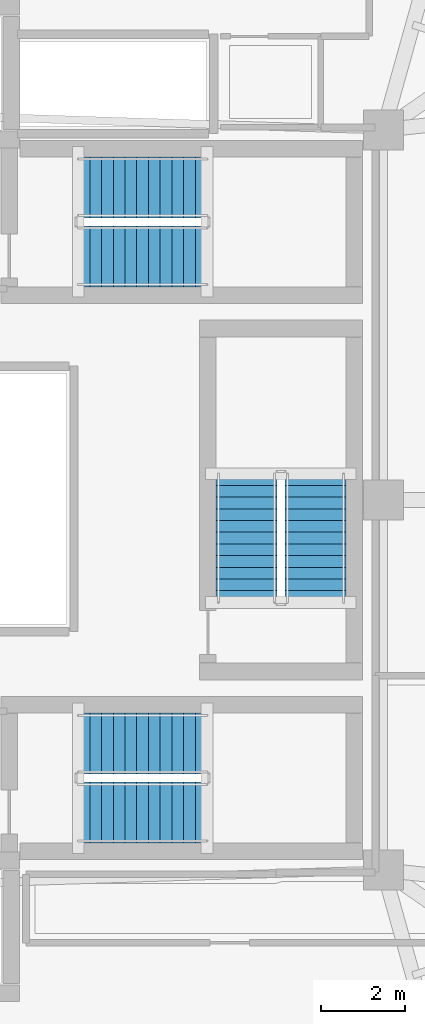
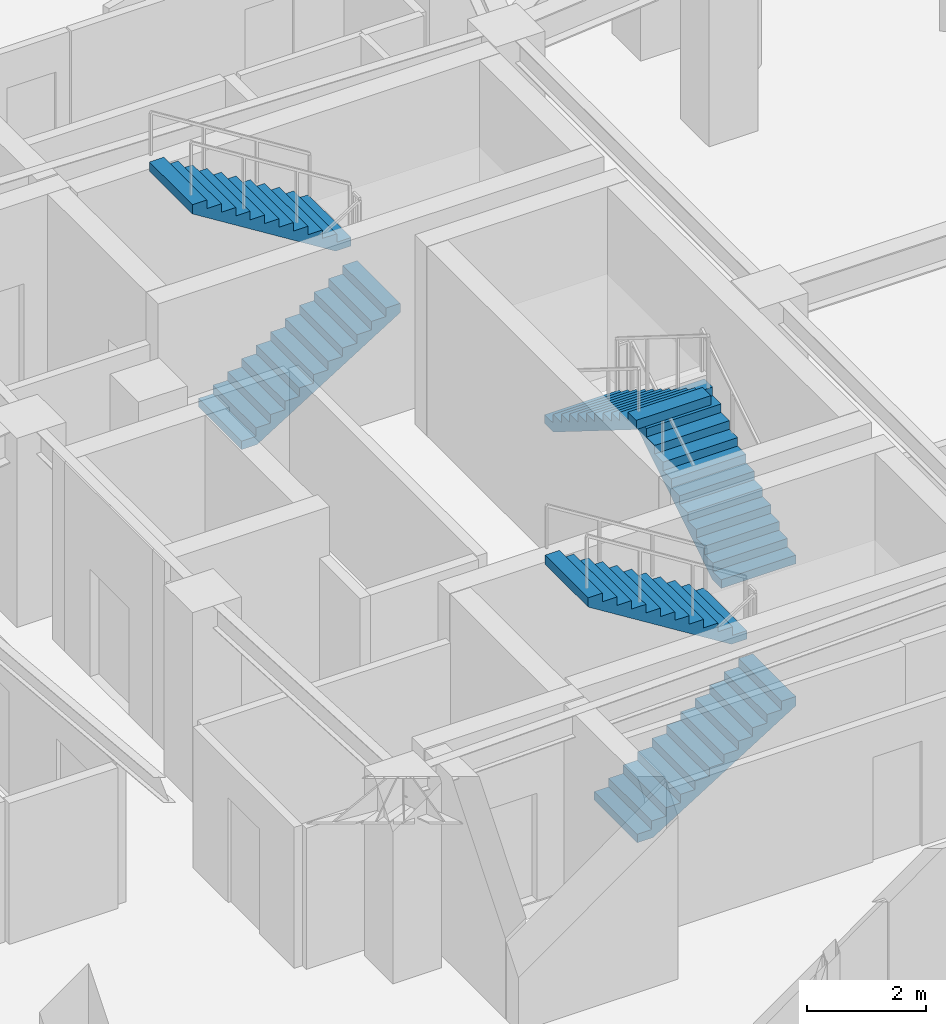
# One storey, part 10 of 13: 6 stair flights, 3 elements without a shape of their own.
"""IFC4 building model written with IfcOpenShell, lengths in metres."""

from ifc_helpers import new_model, si_unit, direction, frame, origin, place, context, subcontext, project, spatial, polyline, outline, extrude, material, type_object, element, aggregate, save


model = new_model("IFC4")

# Units and contexts
model_context = context("Model", 3, precision=1e-05, world=origin(), true_north=direction((0.0, 1.0)))
body_context = subcontext(model_context, "Body", "Model", "MODEL_VIEW")
ifc_project = project(units=[si_unit("LENGTHUNIT", "METRE"), si_unit("AREAUNIT", "SQUARE_METRE"), si_unit("VOLUMEUNIT", "CUBIC_METRE"), si_unit("PLANEANGLEUNIT", "RADIAN"), si_unit("MASSUNIT", "GRAM", prefix="KILO")], contexts=[model_context])

# Site, building, storey
site_placement = place(None, origin())
site = spatial("IfcSite", under=ifc_project, at=site_placement, CompositionType="ELEMENT")
building_placement = place(site_placement, origin())
building = spatial("IfcBuilding", under=site, at=building_placement, Name="Korentha Bioscience Tower", CompositionType="ELEMENT")
storey_placement = place(building_placement, frame((0.0, 0.0, 273.0)))
storey = spatial("IfcBuildingStorey", under=building, at=storey_placement, Name="L63", CompositionType="ELEMENT", Elevation=273.0)

# Stair, stair flights
ifc_material = material(Name="Precast Concrete C50", Category="concrete")
stair_type = type_object("IfcStairType", Name="Core Exit Dog-Leg Stair 1450", PredefinedType="HALF_TURN_STAIR", material=ifc_material)
stair_1_placement = place(storey_placement, origin())
stair_1 = element("IfcStair", 1, at=stair_1_placement, inside=storey, type_object=stair_type, Name="L63 Tower North Pressurized Exit Stair ST-1", PredefinedType="HALF_TURN_STAIR")
stair_flight_type = type_object("IfcStairFlightType", Name="Core Exit Dog-Leg Stair 1450 Flight", PredefinedType="STRAIGHT", material=ifc_material)
stair_flight_1_placement = place(storey_placement, frame((30.25, 32.824951171875, 0.0), z_axis=(0.0, 0.0, 1.0), x_axis=(1.0, 0.0, 0.0)))
stair_flight_1 = element("IfcStairFlight", 2, at=stair_flight_1_placement, type_object=stair_flight_type, Name="ST-1 flight 1", NumberOfRisers=12, NumberOfTreads=11, PredefinedType="STRAIGHT", RiserHeight=0.175, TreadLength=0.28, context=body_context, shape_type="SweptSolid", body=[
    extrude(outline(polyline([(0.0, 0.0), (0.0, 0.175048828125), (0.280029296875, 0.175048828125), (0.280029296875, 0.35009765625), (0.56005859375, 0.35009765625), (0.56005859375, 0.52490234375), (0.840087890625, 0.52490234375), (0.840087890625, 0.699951171875), (1.1201171875, 0.699951171875), (1.1201171875, 0.875), (1.39990234375, 0.875), (1.39990234375, 1.050048828125), (1.679931640625, 1.050048828125), (1.679931640625, 1.22509765625), (1.9599609375, 1.22509765625), (1.9599609375, 1.39990234375), (2.239990234375, 1.39990234375), (2.239990234375, 1.574951171875), (2.52001953125, 1.574951171875), (2.52001953125, 1.75), (2.800048828125, 1.75), (2.800048828125, 1.925048828125), (3.080078125, 1.925048828125), (3.080078125, 2.10009765625), (3.080078125, 1.736328125), (0.3017578125, 0.0), (0.0, 0.0)])), frame((0.0, 0.72509765625, 0.0), z_axis=(0.0, -1.0, 0.0), x_axis=(1.0, 0.0, 0.0)), (0.0, 0.0, 1.0), 1.449951171875),
])
stair_flight_2_placement = place(storey_placement, frame((33.330078125, 34.47509765625, 2.10009765625), z_axis=(0.0, 0.0, 1.0), x_axis=(-1.0, 0.0, 0.0)))
stair_flight_2 = element("IfcStairFlight", 3, at=stair_flight_2_placement, type_object=stair_flight_type, Name="ST-1 flight 2", NumberOfRisers=12, NumberOfTreads=11, PredefinedType="STRAIGHT", RiserHeight=0.175, TreadLength=0.28, context=body_context, shape_type="SweptSolid", body=[
    extrude(outline(polyline([(0.0, 0.0), (0.0, 0.175048828125), (0.280029296875, 0.175048828125), (0.280029296875, 0.35009765625), (0.56005859375, 0.35009765625), (0.56005859375, 0.52490234375), (0.840087890625, 0.52490234375), (0.840087890625, 0.699951171875), (1.1201171875, 0.699951171875), (1.1201171875, 0.875), (1.39990234375, 0.875), (1.39990234375, 1.050048828125), (1.679931640625, 1.050048828125), (1.679931640625, 1.22509765625), (1.9599609375, 1.22509765625), (1.9599609375, 1.39990234375), (2.239990234375, 1.39990234375), (2.239990234375, 1.574951171875), (2.52001953125, 1.574951171875), (2.52001953125, 1.75), (2.800048828125, 1.75), (2.800048828125, 1.925048828125), (3.080078125, 1.925048828125), (3.080078125, 2.10009765625), (3.080078125, 1.736328125), (0.3017578125, 0.0), (0.0, 0.0)])), frame((0.0, 0.72509765625, 0.0), z_axis=(0.0, -1.0, 0.0), x_axis=(1.0, 0.0, 0.0)), (0.0, 0.0, 1.0), 1.449951171875),
])
aggregate(stair_1, [stair_flight_1, stair_flight_2])

stair_2_placement = place(storey_placement, origin())
stair_2 = element("IfcStair", 4, at=stair_2_placement, inside=storey, type_object=stair_type, Name="L63 Tower South Pressurized Exit Stair ST-2", PredefinedType="HALF_TURN_STAIR")
stair_flight_3_placement = place(storey_placement, frame((30.25, 19.52490234375, 0.0), z_axis=(0.0, 0.0, 1.0), x_axis=(1.0, 0.0, 0.0)))
stair_flight_3 = element("IfcStairFlight", 5, at=stair_flight_3_placement, type_object=stair_flight_type, Name="ST-2 flight 1", NumberOfRisers=12, NumberOfTreads=11, PredefinedType="STRAIGHT", RiserHeight=0.175, TreadLength=0.28, context=body_context, shape_type="SweptSolid", body=[
    extrude(outline(polyline([(0.0, 0.0), (0.0, 0.175048828125), (0.280029296875, 0.175048828125), (0.280029296875, 0.35009765625), (0.56005859375, 0.35009765625), (0.56005859375, 0.52490234375), (0.840087890625, 0.52490234375), (0.840087890625, 0.699951171875), (1.1201171875, 0.699951171875), (1.1201171875, 0.875), (1.39990234375, 0.875), (1.39990234375, 1.050048828125), (1.679931640625, 1.050048828125), (1.679931640625, 1.22509765625), (1.9599609375, 1.22509765625), (1.9599609375, 1.39990234375), (2.239990234375, 1.39990234375), (2.239990234375, 1.574951171875), (2.52001953125, 1.574951171875), (2.52001953125, 1.75), (2.800048828125, 1.75), (2.800048828125, 1.925048828125), (3.080078125, 1.925048828125), (3.080078125, 2.10009765625), (3.080078125, 1.736328125), (0.3017578125, 0.0), (0.0, 0.0)])), frame((0.0, 0.72509765625, 0.0), z_axis=(0.0, -1.0, 0.0), x_axis=(1.0, 0.0, 0.0)), (0.0, 0.0, 1.0), 1.449951171875),
])
stair_flight_4_placement = place(storey_placement, frame((33.330078125, 21.175048828125, 2.10009765625), z_axis=(0.0, 0.0, 1.0), x_axis=(-1.0, 0.0, 0.0)))
stair_flight_4 = element("IfcStairFlight", 6, at=stair_flight_4_placement, type_object=stair_flight_type, Name="ST-2 flight 2", NumberOfRisers=12, NumberOfTreads=11, PredefinedType="STRAIGHT", RiserHeight=0.175, TreadLength=0.28, context=body_context, shape_type="SweptSolid", body=[
    extrude(outline(polyline([(0.0, 0.0), (0.0, 0.175048828125), (0.280029296875, 0.175048828125), (0.280029296875, 0.35009765625), (0.56005859375, 0.35009765625), (0.56005859375, 0.52490234375), (0.840087890625, 0.52490234375), (0.840087890625, 0.699951171875), (1.1201171875, 0.699951171875), (1.1201171875, 0.875), (1.39990234375, 0.875), (1.39990234375, 1.050048828125), (1.679931640625, 1.050048828125), (1.679931640625, 1.22509765625), (1.9599609375, 1.22509765625), (1.9599609375, 1.39990234375), (2.239990234375, 1.39990234375), (2.239990234375, 1.574951171875), (2.52001953125, 1.574951171875), (2.52001953125, 1.75), (2.800048828125, 1.75), (2.800048828125, 1.925048828125), (3.080078125, 1.925048828125), (3.080078125, 2.10009765625), (3.080078125, 1.736328125), (0.3017578125, 0.0), (0.0, 0.0)])), frame((0.0, 0.72509765625, 0.0), z_axis=(0.0, -1.0, 0.0), x_axis=(1.0, 0.0, 0.0)), (0.0, 0.0, 1.0), 1.449951171875),
])
aggregate(stair_2, [stair_flight_3, stair_flight_4])

stair_3_placement = place(storey_placement, origin())
stair_3 = element("IfcStair", 7, at=stair_3_placement, inside=storey, type_object=stair_type, Name="L63 Tower Central Pressurized Exit Stair ST-3", PredefinedType="HALF_TURN_STAIR")
stair_flight_5_placement = place(storey_placement, frame((35.925048828125, 24.550048828125, 0.0), z_axis=(0.0, 0.0, 1.0), x_axis=(0.0, 1.0, 0.0)))
stair_flight_5 = element("IfcStairFlight", 8, at=stair_flight_5_placement, type_object=stair_flight_type, Name="ST-3 flight 1", NumberOfRisers=12, NumberOfTreads=11, PredefinedType="STRAIGHT", RiserHeight=0.175, TreadLength=0.28, context=body_context, shape_type="SweptSolid", body=[
    extrude(outline(polyline([(0.0, 0.0), (0.0, 0.175048828125), (0.280029296875, 0.175048828125), (0.280029296875, 0.35009765625), (0.56005859375, 0.35009765625), (0.56005859375, 0.52490234375), (0.840087890625, 0.52490234375), (0.840087890625, 0.699951171875), (1.1201171875, 0.699951171875), (1.1201171875, 0.875), (1.39990234375, 0.875), (1.39990234375, 1.050048828125), (1.679931640625, 1.050048828125), (1.679931640625, 1.22509765625), (1.9599609375, 1.22509765625), (1.9599609375, 1.39990234375), (2.239990234375, 1.39990234375), (2.239990234375, 1.574951171875), (2.52001953125, 1.574951171875), (2.52001953125, 1.75), (2.800048828125, 1.75), (2.800048828125, 1.925048828125), (3.080078125, 1.925048828125), (3.080078125, 2.10009765625), (3.080078125, 1.736328125), (0.3017578125, 0.0), (0.0, 0.0)])), frame((0.0, 0.72509765625, 0.0), z_axis=(0.0, -1.0, 0.0), x_axis=(1.0, 0.0, 0.0)), (0.0, 0.0, 1.0), 1.449951171875),
])
stair_flight_6_placement = place(storey_placement, frame((34.27490234375, 27.6298828125, 2.10009765625), z_axis=(0.0, 0.0, 1.0), x_axis=(0.0, -1.0, 0.0)))
stair_flight_6 = element("IfcStairFlight", 9, at=stair_flight_6_placement, type_object=stair_flight_type, Name="ST-3 flight 2", NumberOfRisers=12, NumberOfTreads=11, PredefinedType="STRAIGHT", RiserHeight=0.175, TreadLength=0.28, context=body_context, shape_type="SweptSolid", body=[
    extrude(outline(polyline([(0.0, 0.0), (0.0, 0.175048828125), (0.280029296875, 0.175048828125), (0.280029296875, 0.35009765625), (0.56005859375, 0.35009765625), (0.56005859375, 0.52490234375), (0.840087890625, 0.52490234375), (0.840087890625, 0.699951171875), (1.1201171875, 0.699951171875), (1.1201171875, 0.875), (1.39990234375, 0.875), (1.39990234375, 1.050048828125), (1.679931640625, 1.050048828125), (1.679931640625, 1.22509765625), (1.9599609375, 1.22509765625), (1.9599609375, 1.39990234375), (2.239990234375, 1.39990234375), (2.239990234375, 1.574951171875), (2.52001953125, 1.574951171875), (2.52001953125, 1.75), (2.800048828125, 1.75), (2.800048828125, 1.925048828125), (3.080078125, 1.925048828125), (3.080078125, 2.10009765625), (3.080078125, 1.736328125), (0.3017578125, 0.0), (0.0, 0.0)])), frame((0.0, 0.72509765625, 0.0), z_axis=(0.0, -1.0, 0.0), x_axis=(1.0, 0.0, 0.0)), (0.0, 0.0, 1.0), 1.449951171875),
])
aggregate(stair_3, [stair_flight_5, stair_flight_6])

save(model, "model.ifc")
